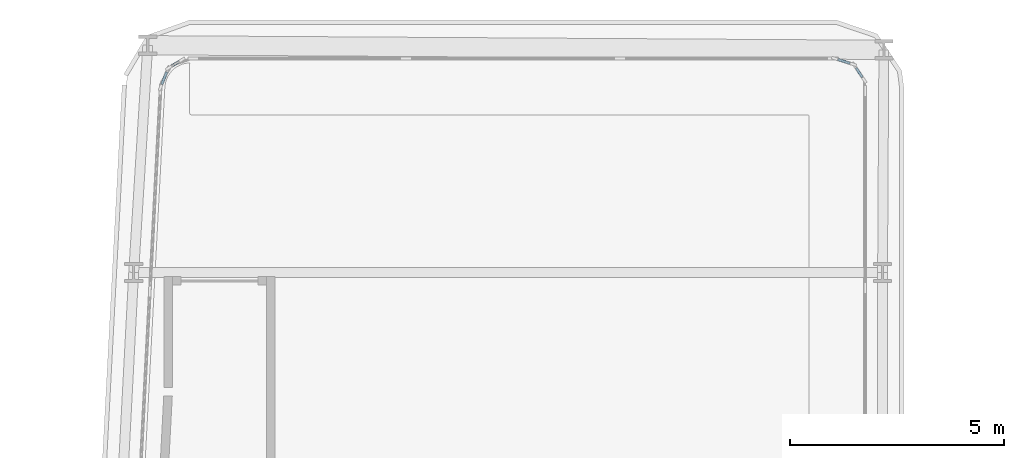
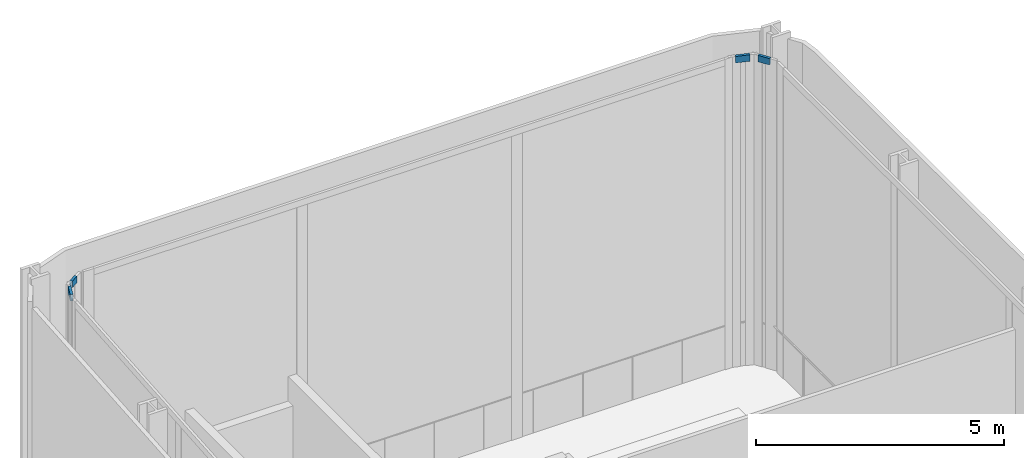
# One storey, part 19 of 36: 4 members, 4 elements without a shape of their own.
"""IFC4 building model written with IfcOpenShell, lengths in metres."""

from ifc_helpers import new_model, si_unit, direction, frame, origin, origin_2d, place, context, subcontext, project, spatial, rectangle, extrude, material, layer, layer_set, material_profile, profile_set, type_object, element, aggregate, save


model = new_model("IFC4")

# Units and contexts
model_context = context("Model", 3, precision=1e-05, world=origin(), true_north=direction((0.0, 1.0)))
body_context = subcontext(model_context, "Body", "Model", "MODEL_VIEW")
ifc_project = project(units=[si_unit("LENGTHUNIT", "METRE"), si_unit("AREAUNIT", "SQUARE_METRE"), si_unit("VOLUMEUNIT", "CUBIC_METRE"), si_unit("PLANEANGLEUNIT", "RADIAN"), si_unit("MASSUNIT", "GRAM", prefix="KILO")], contexts=[model_context])

# Site, building, storey
site_placement = place(None, origin())
site = spatial("IfcSite", under=ifc_project, at=site_placement, CompositionType="ELEMENT")
building_placement = place(site_placement, origin())
building = spatial("IfcBuilding", under=site, at=building_placement, Name="Kheshtan School and Residences Tower", CompositionType="ELEMENT")
storey_placement = place(building_placement, frame((0.0, 0.0, 81.199951171875)))
storey = spatial("IfcBuildingStorey", under=building, at=storey_placement, Name="L19", CompositionType="ELEMENT", Elevation=81.199951171875)

# Curtain wall, member
ifc_material_1 = material(Name="Clear low-e glass in thermally broken aluminium frame", Category="aluminium")
ifc_layer = layer(ifc_material_1, 0.25)
ifc_layer_set = layer_set([ifc_layer], Name="Curtain wall CW-K")
curtain_wall_type = type_object("IfcCurtainWallType", Name="Curtain wall CW-K", PredefinedType="NOTDEFINED", material=ifc_layer_set)
curtain_wall_1_placement = place(storey_placement, origin())
curtain_wall_1 = element("IfcCurtainWall", 1, at=curtain_wall_1_placement, inside=storey, type_object=curtain_wall_type, Name="Curtain wall CWK19", PredefinedType="NOTDEFINED")
ifc_material_2 = material(Name="Thermally broken aluminium, dark bronze anodised", Category="aluminium")
ifc_material_profile = material_profile(ifc_material_2, rectangle(XDim=0.06005859375, YDim=0.159912109375, at=origin_2d()), Name="CW-K transom 60x160")
ifc_profile_set = profile_set([ifc_material_profile], Name="Thermally broken aluminium, dark bronze anodised")
member_type = type_object("IfcMemberType", Name="CW-K transom 60x160", PredefinedType="USERDEFINED", material=ifc_profile_set)
member_1_placement = place(storey_placement, frame((30.75146484375, 98.59375, 7.570068359375), z_axis=(0.370720586552, 0.928744446393, 0.0), x_axis=(-0.928744446393, 0.370720586552, 0.0)))
member_1 = element("IfcMember", 2, at=member_1_placement, type_object=member_type, Name="CWK19 transom 1", ObjectType="TRANSOM", PredefinedType="USERDEFINED", context=body_context, shape_type="SweptSolid", body=[
    extrude(rectangle(XDim=0.06005859375, YDim=0.159912109375, at=origin_2d()), origin(), (0.0, 0.0, 1.0), 0.314208984375),
])
aggregate(curtain_wall_1, [member_1])

curtain_wall_2_placement = place(storey_placement, origin())
curtain_wall_2 = element("IfcCurtainWall", 3, at=curtain_wall_2_placement, inside=storey, type_object=curtain_wall_type, Name="Curtain wall CWK20", PredefinedType="NOTDEFINED")
member_2_placement = place(storey_placement, frame((30.981689453125, 99.0205078125, 7.570068359375), z_axis=(0.851698929261, 0.524031424531, 0.0), x_axis=(-0.524031424531, 0.851698929261, 0.0)))
member_2 = element("IfcMember", 4, at=member_2_placement, type_object=member_type, Name="CWK20 transom 1", ObjectType="TRANSOM", PredefinedType="USERDEFINED", context=body_context, shape_type="SweptSolid", body=[
    extrude(rectangle(XDim=0.06005859375, YDim=0.159912109375, at=origin_2d()), origin(), (0.0, 0.0, 1.0), 0.206298828125),
])
aggregate(curtain_wall_2, [member_2])

curtain_wall_3_placement = place(storey_placement, origin())
curtain_wall_3 = element("IfcCurtainWall", 5, at=curtain_wall_3_placement, inside=storey, type_object=curtain_wall_type, Name="Curtain wall CWK22", PredefinedType="NOTDEFINED")
member_3_placement = place(storey_placement, frame((46.5576171875, 99.177001953125, 7.570068359375), z_axis=(0.95258765561, -0.304264290347, 0.0), x_axis=(0.304264290347, 0.95258765561, 0.0)))
member_3 = element("IfcMember", 6, at=member_3_placement, type_object=member_type, Name="CWK22 transom 1", ObjectType="TRANSOM", PredefinedType="USERDEFINED", context=body_context, shape_type="SweptSolid", body=[
    extrude(rectangle(XDim=0.06005859375, YDim=0.159912109375, at=origin_2d()), origin(), (0.0, 0.0, 1.0), 0.29443359375),
])
aggregate(curtain_wall_3, [member_3])

curtain_wall_4_placement = place(storey_placement, origin())
curtain_wall_4 = element("IfcCurtainWall", 7, at=curtain_wall_4_placement, inside=storey, type_object=curtain_wall_type, Name="Curtain wall CWK23", PredefinedType="NOTDEFINED")
member_4_placement = place(storey_placement, frame((46.9814453125, 98.979736328125, 7.570068359375), z_axis=(0.555554602959, -0.831480055762, 0.0), x_axis=(0.831480055762, 0.555554602959, 0.0)))
member_4 = element("IfcMember", 8, at=member_4_placement, type_object=member_type, Name="CWK23 transom 1", ObjectType="TRANSOM", PredefinedType="USERDEFINED", context=body_context, shape_type="SweptSolid", body=[
    extrude(rectangle(XDim=0.06005859375, YDim=0.159912109375, at=origin_2d()), origin(), (0.0, 0.0, 1.0), 0.263671875),
])
aggregate(curtain_wall_4, [member_4])

save(model, "model.ifc")
